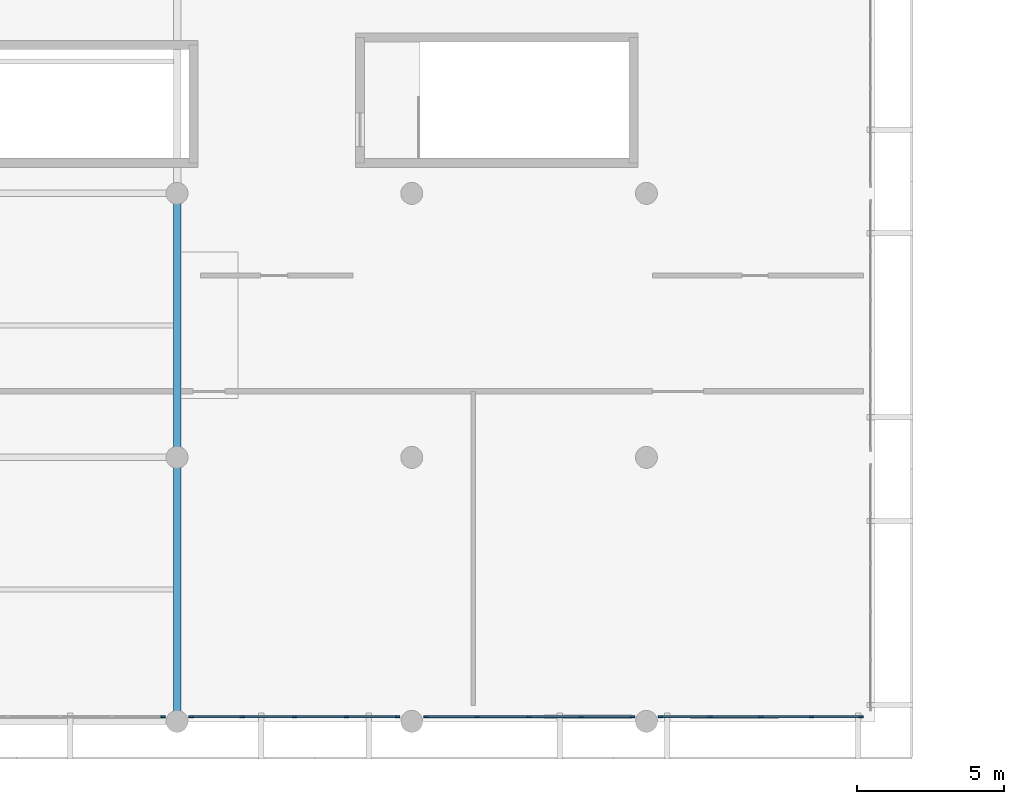
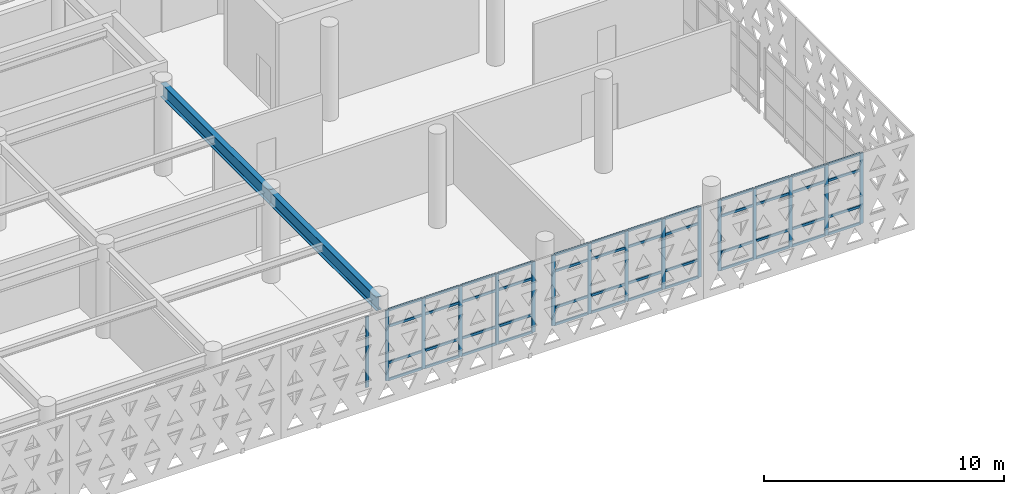
# One storey, part 13 of 33: 64 members, 2 beams, 4 elements without a shape of their own.
"""IFC4 building model written with IfcOpenShell, lengths in metres."""

from ifc_helpers import new_model, si_unit, direction, frame, origin, origin_2d, place, context, subcontext, project, spatial, rectangle, i_section, extrude, material, layer, layer_set, material_profile, profile_set, type_object, element, aggregate, save


model = new_model("IFC4")

# Units and contexts
model_context = context("Model", 3, precision=1e-05, world=origin(), true_north=direction((0.0, 1.0)))
body_context = subcontext(model_context, "Body", "Model", "MODEL_VIEW")
ifc_project = project(units=[si_unit("LENGTHUNIT", "METRE"), si_unit("AREAUNIT", "SQUARE_METRE"), si_unit("VOLUMEUNIT", "CUBIC_METRE"), si_unit("PLANEANGLEUNIT", "RADIAN"), si_unit("MASSUNIT", "GRAM", prefix="KILO")], contexts=[model_context])

# Site, building, storey
site_placement = place(None, origin())
site = spatial("IfcSite", under=ifc_project, at=site_placement, CompositionType="ELEMENT")
building_placement = place(site_placement, origin())
building = spatial("IfcBuilding", under=site, at=building_placement, Name="Tlacozan Convention Centre", CompositionType="ELEMENT")
storey_placement = place(building_placement, frame((0.0, 0.0, 16.199951171875)))
storey = spatial("IfcBuildingStorey", under=building, at=storey_placement, Name="L03", CompositionType="ELEMENT", Elevation=16.199951171875)

# Curtain wall, member
ifc_material_1 = material(Name="Dark Bronze Anodised Aluminium", Category="aluminium")
ifc_layer = layer(ifc_material_1, 0.159912109375)
ifc_layer_set = layer_set([ifc_layer], Name="Dark Bronze Anodised Aluminium")
curtain_wall_type = type_object("IfcCurtainWallType", Name="Unitised Congress L03 South CW04", PredefinedType="NOTDEFINED", material=ifc_layer_set)
curtain_wall_1_placement = place(storey_placement, origin())
curtain_wall_1 = element("IfcCurtainWall", 1, at=curtain_wall_1_placement, inside=storey, type_object=curtain_wall_type, Name="L03 CW-04 Run 111", PredefinedType="NOTDEFINED")
ifc_material_profile_1 = material_profile(ifc_material_1, rectangle(XDim=0.06494140625, YDim=0.159912109375, at=origin_2d()), Name="ALU 65x160")
ifc_profile_set_1 = profile_set([ifc_material_profile_1], Name="Dark Bronze Anodised Aluminium")
member_type_1 = type_object("IfcMemberType", Name="Curtain Wall Mullion 65x160", PredefinedType="MULLION", material=ifc_profile_set_1)
member_1_placement = place(storey_placement, frame((95.517578125, 0.159912109375, 0.0), z_axis=(0.0, 0.0, 1.0), x_axis=(0.0, 1.0, 0.0)))
member_1 = element("IfcMember", 2, at=member_1_placement, type_object=member_type_1, Name="CW-04 mullion 5", PredefinedType="MULLION", context=body_context, shape_type="SweptSolid", body=[
    extrude(rectangle(XDim=0.06494140625, YDim=0.159912109375, at=origin_2d()), origin(), (0.0, 0.0, 1.0), 3.60009765625),
])
aggregate(curtain_wall_1, [member_1])

# Curtain wall, members
curtain_wall_2_placement = place(storey_placement, origin())
curtain_wall_2 = element("IfcCurtainWall", 3, at=curtain_wall_2_placement, inside=storey, type_object=curtain_wall_type, Name="L03 CW-04 Run 112", PredefinedType="NOTDEFINED")
member_2_placement = place(storey_placement, frame((96.482421875, 0.159912109375, 0.0), z_axis=(0.0, 0.0, 1.0), x_axis=(0.0, 1.0, 0.0)))
member_2 = element("IfcMember", 4, at=member_2_placement, type_object=member_type_1, Name="CW-04 mullion 1", PredefinedType="MULLION", context=body_context, shape_type="SweptSolid", body=[
    extrude(rectangle(XDim=0.06494140625, YDim=0.159912109375, at=origin_2d()), origin(), (0.0, 0.0, 1.0), 3.60009765625),
])
member_3_placement = place(storey_placement, frame((98.22509765625, 0.159912109375, 0.0), z_axis=(0.0, 0.0, 1.0), x_axis=(0.0, 1.0, 0.0)))
member_3 = element("IfcMember", 5, at=member_3_placement, type_object=member_type_1, Name="CW-04 mullion 2", PredefinedType="MULLION", context=body_context, shape_type="SweptSolid", body=[
    extrude(rectangle(XDim=0.06494140625, YDim=0.159912109375, at=origin_2d()), origin(), (0.0, 0.0, 1.0), 3.60009765625),
])
member_4_placement = place(storey_placement, frame((100.0, 0.159912109375, 0.0), z_axis=(0.0, 0.0, 1.0), x_axis=(0.0, 1.0, 0.0)))
member_4 = element("IfcMember", 6, at=member_4_placement, type_object=member_type_1, Name="CW-04 mullion 3", PredefinedType="MULLION", context=body_context, shape_type="SweptSolid", body=[
    extrude(rectangle(XDim=0.06494140625, YDim=0.159912109375, at=origin_2d()), origin(), (0.0, 0.0, 1.0), 3.60009765625),
])
member_5_placement = place(storey_placement, frame((101.77490234375, 0.159912109375, 0.0), z_axis=(0.0, 0.0, 1.0), x_axis=(0.0, 1.0, 0.0)))
member_5 = element("IfcMember", 7, at=member_5_placement, type_object=member_type_1, Name="CW-04 mullion 4", PredefinedType="MULLION", context=body_context, shape_type="SweptSolid", body=[
    extrude(rectangle(XDim=0.06494140625, YDim=0.159912109375, at=origin_2d()), origin(), (0.0, 0.0, 1.0), 3.60009765625),
])
member_6_placement = place(storey_placement, frame((103.517578125, 0.159912109375, 0.0), z_axis=(0.0, 0.0, 1.0), x_axis=(0.0, 1.0, 0.0)))
member_6 = element("IfcMember", 8, at=member_6_placement, type_object=member_type_1, Name="CW-04 mullion 5", PredefinedType="MULLION", context=body_context, shape_type="SweptSolid", body=[
    extrude(rectangle(XDim=0.06494140625, YDim=0.159912109375, at=origin_2d()), origin(), (0.0, 0.0, 1.0), 3.60009765625),
])

curtain_wall_3_placement = place(storey_placement, origin())
curtain_wall_3 = element("IfcCurtainWall", 9, at=curtain_wall_3_placement, inside=storey, type_object=curtain_wall_type, Name="L03 CW-04 Run 113", PredefinedType="NOTDEFINED")
member_7_placement = place(storey_placement, frame((104.482421875, 0.159912109375, 0.0), z_axis=(0.0, 0.0, 1.0), x_axis=(0.0, 1.0, 0.0)))
member_7 = element("IfcMember", 10, at=member_7_placement, type_object=member_type_1, Name="CW-04 mullion 1", PredefinedType="MULLION", context=body_context, shape_type="SweptSolid", body=[
    extrude(rectangle(XDim=0.06494140625, YDim=0.159912109375, at=origin_2d()), origin(), (0.0, 0.0, 1.0), 3.60009765625),
])
member_8_placement = place(storey_placement, frame((106.22509765625, 0.159912109375, 0.0), z_axis=(0.0, 0.0, 1.0), x_axis=(0.0, 1.0, 0.0)))
member_8 = element("IfcMember", 11, at=member_8_placement, type_object=member_type_1, Name="CW-04 mullion 2", PredefinedType="MULLION", context=body_context, shape_type="SweptSolid", body=[
    extrude(rectangle(XDim=0.06494140625, YDim=0.159912109375, at=origin_2d()), origin(), (0.0, 0.0, 1.0), 3.60009765625),
])
member_9_placement = place(storey_placement, frame((108.0, 0.159912109375, 0.0), z_axis=(0.0, 0.0, 1.0), x_axis=(0.0, 1.0, 0.0)))
member_9 = element("IfcMember", 12, at=member_9_placement, type_object=member_type_1, Name="CW-04 mullion 3", PredefinedType="MULLION", context=body_context, shape_type="SweptSolid", body=[
    extrude(rectangle(XDim=0.06494140625, YDim=0.159912109375, at=origin_2d()), origin(), (0.0, 0.0, 1.0), 3.60009765625),
])
member_10_placement = place(storey_placement, frame((109.77490234375, 0.159912109375, 0.0), z_axis=(0.0, 0.0, 1.0), x_axis=(0.0, 1.0, 0.0)))
member_10 = element("IfcMember", 13, at=member_10_placement, type_object=member_type_1, Name="CW-04 mullion 4", PredefinedType="MULLION", context=body_context, shape_type="SweptSolid", body=[
    extrude(rectangle(XDim=0.06494140625, YDim=0.159912109375, at=origin_2d()), origin(), (0.0, 0.0, 1.0), 3.60009765625),
])
member_11_placement = place(storey_placement, frame((111.517578125, 0.159912109375, 0.0), z_axis=(0.0, 0.0, 1.0), x_axis=(0.0, 1.0, 0.0)))
member_11 = element("IfcMember", 14, at=member_11_placement, type_object=member_type_1, Name="CW-04 mullion 5", PredefinedType="MULLION", context=body_context, shape_type="SweptSolid", body=[
    extrude(rectangle(XDim=0.06494140625, YDim=0.159912109375, at=origin_2d()), origin(), (0.0, 0.0, 1.0), 3.60009765625),
])

curtain_wall_4_placement = place(storey_placement, origin())
curtain_wall_4 = element("IfcCurtainWall", 15, at=curtain_wall_4_placement, inside=storey, type_object=curtain_wall_type, Name="L03 CW-04 Run 114", PredefinedType="NOTDEFINED")
member_12_placement = place(storey_placement, frame((112.482421875, 0.159912109375, 0.0), z_axis=(0.0, 0.0, 1.0), x_axis=(0.0, 1.0, 0.0)))
member_12 = element("IfcMember", 16, at=member_12_placement, type_object=member_type_1, Name="CW-04 mullion 1", PredefinedType="MULLION", context=body_context, shape_type="SweptSolid", body=[
    extrude(rectangle(XDim=0.06494140625, YDim=0.159912109375, at=origin_2d()), origin(), (0.0, 0.0, 1.0), 3.60009765625),
])
member_13_placement = place(storey_placement, frame((114.175048828125, 0.159912109375, 0.0), z_axis=(0.0, 0.0, 1.0), x_axis=(0.0, 1.0, 0.0)))
member_13 = element("IfcMember", 17, at=member_13_placement, type_object=member_type_1, Name="CW-04 mullion 2", PredefinedType="MULLION", context=body_context, shape_type="SweptSolid", body=[
    extrude(rectangle(XDim=0.06494140625, YDim=0.159912109375, at=origin_2d()), origin(), (0.0, 0.0, 1.0), 3.60009765625),
])
member_14_placement = place(storey_placement, frame((115.89990234375, 0.159912109375, 0.0), z_axis=(0.0, 0.0, 1.0), x_axis=(0.0, 1.0, 0.0)))
member_14 = element("IfcMember", 18, at=member_14_placement, type_object=member_type_1, Name="CW-04 mullion 3", PredefinedType="MULLION", context=body_context, shape_type="SweptSolid", body=[
    extrude(rectangle(XDim=0.06494140625, YDim=0.159912109375, at=origin_2d()), origin(), (0.0, 0.0, 1.0), 3.60009765625),
])
member_15_placement = place(storey_placement, frame((117.625, 0.159912109375, 0.0), z_axis=(0.0, 0.0, 1.0), x_axis=(0.0, 1.0, 0.0)))
member_15 = element("IfcMember", 19, at=member_15_placement, type_object=member_type_1, Name="CW-04 mullion 4", PredefinedType="MULLION", context=body_context, shape_type="SweptSolid", body=[
    extrude(rectangle(XDim=0.06494140625, YDim=0.159912109375, at=origin_2d()), origin(), (0.0, 0.0, 1.0), 3.60009765625),
])
member_16_placement = place(storey_placement, frame((119.3173828125, 0.159912109375, 0.0), z_axis=(0.0, 0.0, 1.0), x_axis=(0.0, 1.0, 0.0)))
member_16 = element("IfcMember", 20, at=member_16_placement, type_object=member_type_1, Name="CW-04 mullion 5", PredefinedType="MULLION", context=body_context, shape_type="SweptSolid", body=[
    extrude(rectangle(XDim=0.06494140625, YDim=0.159912109375, at=origin_2d()), origin(), (0.0, 0.0, 1.0), 3.60009765625),
])

# Member
ifc_material_profile_2 = material_profile(ifc_material_1, rectangle(XDim=0.06494140625, YDim=0.125, at=origin_2d()), Name="ALU 65x125")
ifc_profile_set_2 = profile_set([ifc_material_profile_2], Name="Dark Bronze Anodised Aluminium")
member_type_2 = type_object("IfcMemberType", Name="Curtain Wall Transom 65x125", PredefinedType="USERDEFINED", material=ifc_profile_set_2)
member_17_placement = place(storey_placement, frame((96.514892578125, 0.159912109375, 0.032470703125), z_axis=(1.0, 0.0, 0.0), x_axis=(0.0, 1.0, 0.0)))
member_17 = element("IfcMember", 21, at=member_17_placement, type_object=member_type_2, Name="CW-04 transom 1.1", ObjectType="TRANSOM", PredefinedType="USERDEFINED", context=body_context, shape_type="SweptSolid", body=[
    extrude(rectangle(XDim=0.06494140625, YDim=0.125, at=origin_2d()), origin(), (0.0, 0.0, 1.0), 1.677490234375),
])

member_18_placement = place(storey_placement, frame((96.514892578125, 0.159912109375, 0.900146484375), z_axis=(1.0, 0.0, 0.0), x_axis=(0.0, 1.0, 0.0)))
member_18 = element("IfcMember", 22, at=member_18_placement, type_object=member_type_2, Name="CW-04 transom 1.2", ObjectType="TRANSOM", PredefinedType="USERDEFINED", context=body_context, shape_type="SweptSolid", body=[
    extrude(rectangle(XDim=0.06494140625, YDim=0.125, at=origin_2d()), origin(), (0.0, 0.0, 1.0), 1.677490234375),
])

member_19_placement = place(storey_placement, frame((96.514892578125, 0.159912109375, 2.75), z_axis=(1.0, 0.0, 0.0), x_axis=(0.0, 1.0, 0.0)))
member_19 = element("IfcMember", 23, at=member_19_placement, type_object=member_type_2, Name="CW-04 transom 1.3", ObjectType="TRANSOM", PredefinedType="USERDEFINED", context=body_context, shape_type="SweptSolid", body=[
    extrude(rectangle(XDim=0.06494140625, YDim=0.125, at=origin_2d()), origin(), (0.0, 0.0, 1.0), 1.677490234375),
])

member_20_placement = place(storey_placement, frame((96.514892578125, 0.159912109375, 3.567626953125), z_axis=(1.0, 0.0, 0.0), x_axis=(0.0, 1.0, 0.0)))
member_20 = element("IfcMember", 24, at=member_20_placement, type_object=member_type_2, Name="CW-04 transom 1.4", ObjectType="TRANSOM", PredefinedType="USERDEFINED", context=body_context, shape_type="SweptSolid", body=[
    extrude(rectangle(XDim=0.06494140625, YDim=0.125, at=origin_2d()), origin(), (0.0, 0.0, 1.0), 1.677490234375),
])

member_21_placement = place(storey_placement, frame((98.257568359375, 0.159912109375, 0.032470703125), z_axis=(1.0, 0.0, 0.0), x_axis=(0.0, 1.0, 0.0)))
member_21 = element("IfcMember", 25, at=member_21_placement, type_object=member_type_2, Name="CW-04 transom 2.1", ObjectType="TRANSOM", PredefinedType="USERDEFINED", context=body_context, shape_type="SweptSolid", body=[
    extrude(rectangle(XDim=0.06494140625, YDim=0.125, at=origin_2d()), origin(), (0.0, 0.0, 1.0), 1.7099609375),
])

member_22_placement = place(storey_placement, frame((98.257568359375, 0.159912109375, 0.900146484375), z_axis=(1.0, 0.0, 0.0), x_axis=(0.0, 1.0, 0.0)))
member_22 = element("IfcMember", 26, at=member_22_placement, type_object=member_type_2, Name="CW-04 transom 2.2", ObjectType="TRANSOM", PredefinedType="USERDEFINED", context=body_context, shape_type="SweptSolid", body=[
    extrude(rectangle(XDim=0.06494140625, YDim=0.125, at=origin_2d()), origin(), (0.0, 0.0, 1.0), 1.7099609375),
])

member_23_placement = place(storey_placement, frame((98.257568359375, 0.159912109375, 2.75), z_axis=(1.0, 0.0, 0.0), x_axis=(0.0, 1.0, 0.0)))
member_23 = element("IfcMember", 27, at=member_23_placement, type_object=member_type_2, Name="CW-04 transom 2.3", ObjectType="TRANSOM", PredefinedType="USERDEFINED", context=body_context, shape_type="SweptSolid", body=[
    extrude(rectangle(XDim=0.06494140625, YDim=0.125, at=origin_2d()), origin(), (0.0, 0.0, 1.0), 1.7099609375),
])

member_24_placement = place(storey_placement, frame((98.257568359375, 0.159912109375, 3.567626953125), z_axis=(1.0, 0.0, 0.0), x_axis=(0.0, 1.0, 0.0)))
member_24 = element("IfcMember", 28, at=member_24_placement, type_object=member_type_2, Name="CW-04 transom 2.4", ObjectType="TRANSOM", PredefinedType="USERDEFINED", context=body_context, shape_type="SweptSolid", body=[
    extrude(rectangle(XDim=0.06494140625, YDim=0.125, at=origin_2d()), origin(), (0.0, 0.0, 1.0), 1.7099609375),
])

member_25_placement = place(storey_placement, frame((100.032470703125, 0.159912109375, 0.032470703125), z_axis=(1.0, 0.0, 0.0), x_axis=(0.0, 1.0, 0.0)))
member_25 = element("IfcMember", 29, at=member_25_placement, type_object=member_type_2, Name="CW-04 transom 3.1", ObjectType="TRANSOM", PredefinedType="USERDEFINED", context=body_context, shape_type="SweptSolid", body=[
    extrude(rectangle(XDim=0.06494140625, YDim=0.125, at=origin_2d()), origin(), (0.0, 0.0, 1.0), 1.7099609375),
])

member_26_placement = place(storey_placement, frame((100.032470703125, 0.159912109375, 0.900146484375), z_axis=(1.0, 0.0, 0.0), x_axis=(0.0, 1.0, 0.0)))
member_26 = element("IfcMember", 30, at=member_26_placement, type_object=member_type_2, Name="CW-04 transom 3.2", ObjectType="TRANSOM", PredefinedType="USERDEFINED", context=body_context, shape_type="SweptSolid", body=[
    extrude(rectangle(XDim=0.06494140625, YDim=0.125, at=origin_2d()), origin(), (0.0, 0.0, 1.0), 1.7099609375),
])

member_27_placement = place(storey_placement, frame((100.032470703125, 0.159912109375, 2.75), z_axis=(1.0, 0.0, 0.0), x_axis=(0.0, 1.0, 0.0)))
member_27 = element("IfcMember", 31, at=member_27_placement, type_object=member_type_2, Name="CW-04 transom 3.3", ObjectType="TRANSOM", PredefinedType="USERDEFINED", context=body_context, shape_type="SweptSolid", body=[
    extrude(rectangle(XDim=0.06494140625, YDim=0.125, at=origin_2d()), origin(), (0.0, 0.0, 1.0), 1.7099609375),
])

member_28_placement = place(storey_placement, frame((100.032470703125, 0.159912109375, 3.567626953125), z_axis=(1.0, 0.0, 0.0), x_axis=(0.0, 1.0, 0.0)))
member_28 = element("IfcMember", 32, at=member_28_placement, type_object=member_type_2, Name="CW-04 transom 3.4", ObjectType="TRANSOM", PredefinedType="USERDEFINED", context=body_context, shape_type="SweptSolid", body=[
    extrude(rectangle(XDim=0.06494140625, YDim=0.125, at=origin_2d()), origin(), (0.0, 0.0, 1.0), 1.7099609375),
])

member_29_placement = place(storey_placement, frame((101.8076171875, 0.159912109375, 0.032470703125), z_axis=(1.0, 0.0, 0.0), x_axis=(0.0, 1.0, 0.0)))
member_29 = element("IfcMember", 33, at=member_29_placement, type_object=member_type_2, Name="CW-04 transom 4.1", ObjectType="TRANSOM", PredefinedType="USERDEFINED", context=body_context, shape_type="SweptSolid", body=[
    extrude(rectangle(XDim=0.06494140625, YDim=0.125, at=origin_2d()), origin(), (0.0, 0.0, 1.0), 1.677490234375),
])

member_30_placement = place(storey_placement, frame((101.8076171875, 0.159912109375, 0.900146484375), z_axis=(1.0, 0.0, 0.0), x_axis=(0.0, 1.0, 0.0)))
member_30 = element("IfcMember", 34, at=member_30_placement, type_object=member_type_2, Name="CW-04 transom 4.2", ObjectType="TRANSOM", PredefinedType="USERDEFINED", context=body_context, shape_type="SweptSolid", body=[
    extrude(rectangle(XDim=0.06494140625, YDim=0.125, at=origin_2d()), origin(), (0.0, 0.0, 1.0), 1.677490234375),
])

member_31_placement = place(storey_placement, frame((101.8076171875, 0.159912109375, 2.75), z_axis=(1.0, 0.0, 0.0), x_axis=(0.0, 1.0, 0.0)))
member_31 = element("IfcMember", 35, at=member_31_placement, type_object=member_type_2, Name="CW-04 transom 4.3", ObjectType="TRANSOM", PredefinedType="USERDEFINED", context=body_context, shape_type="SweptSolid", body=[
    extrude(rectangle(XDim=0.06494140625, YDim=0.125, at=origin_2d()), origin(), (0.0, 0.0, 1.0), 1.677490234375),
])

member_32_placement = place(storey_placement, frame((101.8076171875, 0.159912109375, 3.567626953125), z_axis=(1.0, 0.0, 0.0), x_axis=(0.0, 1.0, 0.0)))
member_32 = element("IfcMember", 36, at=member_32_placement, type_object=member_type_2, Name="CW-04 transom 4.4", ObjectType="TRANSOM", PredefinedType="USERDEFINED", context=body_context, shape_type="SweptSolid", body=[
    extrude(rectangle(XDim=0.06494140625, YDim=0.125, at=origin_2d()), origin(), (0.0, 0.0, 1.0), 1.677490234375),
])

aggregate(curtain_wall_2, [member_2, member_3, member_4, member_5, member_6, member_17, member_18, member_19, member_20, member_21, member_22, member_23, member_24, member_25, member_26, member_27, member_28, member_29, member_30, member_31, member_32])

member_33_placement = place(storey_placement, frame((104.514892578125, 0.159912109375, 0.032470703125), z_axis=(1.0, 0.0, 0.0), x_axis=(0.0, 1.0, 0.0)))
member_33 = element("IfcMember", 37, at=member_33_placement, type_object=member_type_2, Name="CW-04 transom 1.1", ObjectType="TRANSOM", PredefinedType="USERDEFINED", context=body_context, shape_type="SweptSolid", body=[
    extrude(rectangle(XDim=0.06494140625, YDim=0.125, at=origin_2d()), origin(), (0.0, 0.0, 1.0), 1.677490234375),
])

member_34_placement = place(storey_placement, frame((104.514892578125, 0.159912109375, 0.900146484375), z_axis=(1.0, 0.0, 0.0), x_axis=(0.0, 1.0, 0.0)))
member_34 = element("IfcMember", 38, at=member_34_placement, type_object=member_type_2, Name="CW-04 transom 1.2", ObjectType="TRANSOM", PredefinedType="USERDEFINED", context=body_context, shape_type="SweptSolid", body=[
    extrude(rectangle(XDim=0.06494140625, YDim=0.125, at=origin_2d()), origin(), (0.0, 0.0, 1.0), 1.677490234375),
])

member_35_placement = place(storey_placement, frame((104.514892578125, 0.159912109375, 2.75), z_axis=(1.0, 0.0, 0.0), x_axis=(0.0, 1.0, 0.0)))
member_35 = element("IfcMember", 39, at=member_35_placement, type_object=member_type_2, Name="CW-04 transom 1.3", ObjectType="TRANSOM", PredefinedType="USERDEFINED", context=body_context, shape_type="SweptSolid", body=[
    extrude(rectangle(XDim=0.06494140625, YDim=0.125, at=origin_2d()), origin(), (0.0, 0.0, 1.0), 1.677490234375),
])

member_36_placement = place(storey_placement, frame((104.514892578125, 0.159912109375, 3.567626953125), z_axis=(1.0, 0.0, 0.0), x_axis=(0.0, 1.0, 0.0)))
member_36 = element("IfcMember", 40, at=member_36_placement, type_object=member_type_2, Name="CW-04 transom 1.4", ObjectType="TRANSOM", PredefinedType="USERDEFINED", context=body_context, shape_type="SweptSolid", body=[
    extrude(rectangle(XDim=0.06494140625, YDim=0.125, at=origin_2d()), origin(), (0.0, 0.0, 1.0), 1.677490234375),
])

member_37_placement = place(storey_placement, frame((106.257568359375, 0.159912109375, 0.032470703125), z_axis=(1.0, 0.0, 0.0), x_axis=(0.0, 1.0, 0.0)))
member_37 = element("IfcMember", 41, at=member_37_placement, type_object=member_type_2, Name="CW-04 transom 2.1", ObjectType="TRANSOM", PredefinedType="USERDEFINED", context=body_context, shape_type="SweptSolid", body=[
    extrude(rectangle(XDim=0.06494140625, YDim=0.125, at=origin_2d()), origin(), (0.0, 0.0, 1.0), 1.7099609375),
])

member_38_placement = place(storey_placement, frame((106.257568359375, 0.159912109375, 0.900146484375), z_axis=(1.0, 0.0, 0.0), x_axis=(0.0, 1.0, 0.0)))
member_38 = element("IfcMember", 42, at=member_38_placement, type_object=member_type_2, Name="CW-04 transom 2.2", ObjectType="TRANSOM", PredefinedType="USERDEFINED", context=body_context, shape_type="SweptSolid", body=[
    extrude(rectangle(XDim=0.06494140625, YDim=0.125, at=origin_2d()), origin(), (0.0, 0.0, 1.0), 1.7099609375),
])

member_39_placement = place(storey_placement, frame((106.257568359375, 0.159912109375, 2.75), z_axis=(1.0, 0.0, 0.0), x_axis=(0.0, 1.0, 0.0)))
member_39 = element("IfcMember", 43, at=member_39_placement, type_object=member_type_2, Name="CW-04 transom 2.3", ObjectType="TRANSOM", PredefinedType="USERDEFINED", context=body_context, shape_type="SweptSolid", body=[
    extrude(rectangle(XDim=0.06494140625, YDim=0.125, at=origin_2d()), origin(), (0.0, 0.0, 1.0), 1.7099609375),
])

member_40_placement = place(storey_placement, frame((106.257568359375, 0.159912109375, 3.567626953125), z_axis=(1.0, 0.0, 0.0), x_axis=(0.0, 1.0, 0.0)))
member_40 = element("IfcMember", 44, at=member_40_placement, type_object=member_type_2, Name="CW-04 transom 2.4", ObjectType="TRANSOM", PredefinedType="USERDEFINED", context=body_context, shape_type="SweptSolid", body=[
    extrude(rectangle(XDim=0.06494140625, YDim=0.125, at=origin_2d()), origin(), (0.0, 0.0, 1.0), 1.7099609375),
])

member_41_placement = place(storey_placement, frame((108.032470703125, 0.159912109375, 0.032470703125), z_axis=(1.0, 0.0, 0.0), x_axis=(0.0, 1.0, 0.0)))
member_41 = element("IfcMember", 45, at=member_41_placement, type_object=member_type_2, Name="CW-04 transom 3.1", ObjectType="TRANSOM", PredefinedType="USERDEFINED", context=body_context, shape_type="SweptSolid", body=[
    extrude(rectangle(XDim=0.06494140625, YDim=0.125, at=origin_2d()), origin(), (0.0, 0.0, 1.0), 1.7099609375),
])

member_42_placement = place(storey_placement, frame((108.032470703125, 0.159912109375, 0.900146484375), z_axis=(1.0, 0.0, 0.0), x_axis=(0.0, 1.0, 0.0)))
member_42 = element("IfcMember", 46, at=member_42_placement, type_object=member_type_2, Name="CW-04 transom 3.2", ObjectType="TRANSOM", PredefinedType="USERDEFINED", context=body_context, shape_type="SweptSolid", body=[
    extrude(rectangle(XDim=0.06494140625, YDim=0.125, at=origin_2d()), origin(), (0.0, 0.0, 1.0), 1.7099609375),
])

member_43_placement = place(storey_placement, frame((108.032470703125, 0.159912109375, 2.75), z_axis=(1.0, 0.0, 0.0), x_axis=(0.0, 1.0, 0.0)))
member_43 = element("IfcMember", 47, at=member_43_placement, type_object=member_type_2, Name="CW-04 transom 3.3", ObjectType="TRANSOM", PredefinedType="USERDEFINED", context=body_context, shape_type="SweptSolid", body=[
    extrude(rectangle(XDim=0.06494140625, YDim=0.125, at=origin_2d()), origin(), (0.0, 0.0, 1.0), 1.7099609375),
])

member_44_placement = place(storey_placement, frame((108.032470703125, 0.159912109375, 3.567626953125), z_axis=(1.0, 0.0, 0.0), x_axis=(0.0, 1.0, 0.0)))
member_44 = element("IfcMember", 48, at=member_44_placement, type_object=member_type_2, Name="CW-04 transom 3.4", ObjectType="TRANSOM", PredefinedType="USERDEFINED", context=body_context, shape_type="SweptSolid", body=[
    extrude(rectangle(XDim=0.06494140625, YDim=0.125, at=origin_2d()), origin(), (0.0, 0.0, 1.0), 1.7099609375),
])

member_45_placement = place(storey_placement, frame((109.8076171875, 0.159912109375, 0.032470703125), z_axis=(1.0, 0.0, 0.0), x_axis=(0.0, 1.0, 0.0)))
member_45 = element("IfcMember", 49, at=member_45_placement, type_object=member_type_2, Name="CW-04 transom 4.1", ObjectType="TRANSOM", PredefinedType="USERDEFINED", context=body_context, shape_type="SweptSolid", body=[
    extrude(rectangle(XDim=0.06494140625, YDim=0.125, at=origin_2d()), origin(), (0.0, 0.0, 1.0), 1.677490234375),
])

member_46_placement = place(storey_placement, frame((109.8076171875, 0.159912109375, 0.900146484375), z_axis=(1.0, 0.0, 0.0), x_axis=(0.0, 1.0, 0.0)))
member_46 = element("IfcMember", 50, at=member_46_placement, type_object=member_type_2, Name="CW-04 transom 4.2", ObjectType="TRANSOM", PredefinedType="USERDEFINED", context=body_context, shape_type="SweptSolid", body=[
    extrude(rectangle(XDim=0.06494140625, YDim=0.125, at=origin_2d()), origin(), (0.0, 0.0, 1.0), 1.677490234375),
])

member_47_placement = place(storey_placement, frame((109.8076171875, 0.159912109375, 2.75), z_axis=(1.0, 0.0, 0.0), x_axis=(0.0, 1.0, 0.0)))
member_47 = element("IfcMember", 51, at=member_47_placement, type_object=member_type_2, Name="CW-04 transom 4.3", ObjectType="TRANSOM", PredefinedType="USERDEFINED", context=body_context, shape_type="SweptSolid", body=[
    extrude(rectangle(XDim=0.06494140625, YDim=0.125, at=origin_2d()), origin(), (0.0, 0.0, 1.0), 1.677490234375),
])

member_48_placement = place(storey_placement, frame((109.8076171875, 0.159912109375, 3.567626953125), z_axis=(1.0, 0.0, 0.0), x_axis=(0.0, 1.0, 0.0)))
member_48 = element("IfcMember", 52, at=member_48_placement, type_object=member_type_2, Name="CW-04 transom 4.4", ObjectType="TRANSOM", PredefinedType="USERDEFINED", context=body_context, shape_type="SweptSolid", body=[
    extrude(rectangle(XDim=0.06494140625, YDim=0.125, at=origin_2d()), origin(), (0.0, 0.0, 1.0), 1.677490234375),
])

aggregate(curtain_wall_3, [member_7, member_8, member_9, member_10, member_11, member_33, member_34, member_35, member_36, member_37, member_38, member_39, member_40, member_41, member_42, member_43, member_44, member_45, member_46, member_47, member_48])

member_49_placement = place(storey_placement, frame((112.514892578125, 0.159912109375, 0.032470703125), z_axis=(1.0, 0.0, 0.0), x_axis=(0.0, 1.0, 0.0)))
member_49 = element("IfcMember", 53, at=member_49_placement, type_object=member_type_2, Name="CW-04 transom 1.1", ObjectType="TRANSOM", PredefinedType="USERDEFINED", context=body_context, shape_type="SweptSolid", body=[
    extrude(rectangle(XDim=0.06494140625, YDim=0.125, at=origin_2d()), origin(), (0.0, 0.0, 1.0), 1.627685546875),
])

member_50_placement = place(storey_placement, frame((112.514892578125, 0.159912109375, 0.900146484375), z_axis=(1.0, 0.0, 0.0), x_axis=(0.0, 1.0, 0.0)))
member_50 = element("IfcMember", 54, at=member_50_placement, type_object=member_type_2, Name="CW-04 transom 1.2", ObjectType="TRANSOM", PredefinedType="USERDEFINED", context=body_context, shape_type="SweptSolid", body=[
    extrude(rectangle(XDim=0.06494140625, YDim=0.125, at=origin_2d()), origin(), (0.0, 0.0, 1.0), 1.627685546875),
])

member_51_placement = place(storey_placement, frame((112.514892578125, 0.159912109375, 2.75), z_axis=(1.0, 0.0, 0.0), x_axis=(0.0, 1.0, 0.0)))
member_51 = element("IfcMember", 55, at=member_51_placement, type_object=member_type_2, Name="CW-04 transom 1.3", ObjectType="TRANSOM", PredefinedType="USERDEFINED", context=body_context, shape_type="SweptSolid", body=[
    extrude(rectangle(XDim=0.06494140625, YDim=0.125, at=origin_2d()), origin(), (0.0, 0.0, 1.0), 1.627685546875),
])

member_52_placement = place(storey_placement, frame((112.514892578125, 0.159912109375, 3.567626953125), z_axis=(1.0, 0.0, 0.0), x_axis=(0.0, 1.0, 0.0)))
member_52 = element("IfcMember", 56, at=member_52_placement, type_object=member_type_2, Name="CW-04 transom 1.4", ObjectType="TRANSOM", PredefinedType="USERDEFINED", context=body_context, shape_type="SweptSolid", body=[
    extrude(rectangle(XDim=0.06494140625, YDim=0.125, at=origin_2d()), origin(), (0.0, 0.0, 1.0), 1.627685546875),
])

member_53_placement = place(storey_placement, frame((114.20751953125, 0.159912109375, 0.032470703125), z_axis=(1.0, 0.0, 0.0), x_axis=(0.0, 1.0, 0.0)))
member_53 = element("IfcMember", 57, at=member_53_placement, type_object=member_type_2, Name="CW-04 transom 2.1", ObjectType="TRANSOM", PredefinedType="USERDEFINED", context=body_context, shape_type="SweptSolid", body=[
    extrude(rectangle(XDim=0.06494140625, YDim=0.125, at=origin_2d()), origin(), (0.0, 0.0, 1.0), 1.659912109375),
])

member_54_placement = place(storey_placement, frame((114.20751953125, 0.159912109375, 0.900146484375), z_axis=(1.0, 0.0, 0.0), x_axis=(0.0, 1.0, 0.0)))
member_54 = element("IfcMember", 58, at=member_54_placement, type_object=member_type_2, Name="CW-04 transom 2.2", ObjectType="TRANSOM", PredefinedType="USERDEFINED", context=body_context, shape_type="SweptSolid", body=[
    extrude(rectangle(XDim=0.06494140625, YDim=0.125, at=origin_2d()), origin(), (0.0, 0.0, 1.0), 1.659912109375),
])

member_55_placement = place(storey_placement, frame((114.20751953125, 0.159912109375, 2.75), z_axis=(1.0, 0.0, 0.0), x_axis=(0.0, 1.0, 0.0)))
member_55 = element("IfcMember", 59, at=member_55_placement, type_object=member_type_2, Name="CW-04 transom 2.3", ObjectType="TRANSOM", PredefinedType="USERDEFINED", context=body_context, shape_type="SweptSolid", body=[
    extrude(rectangle(XDim=0.06494140625, YDim=0.125, at=origin_2d()), origin(), (0.0, 0.0, 1.0), 1.659912109375),
])

member_56_placement = place(storey_placement, frame((114.20751953125, 0.159912109375, 3.567626953125), z_axis=(1.0, 0.0, 0.0), x_axis=(0.0, 1.0, 0.0)))
member_56 = element("IfcMember", 60, at=member_56_placement, type_object=member_type_2, Name="CW-04 transom 2.4", ObjectType="TRANSOM", PredefinedType="USERDEFINED", context=body_context, shape_type="SweptSolid", body=[
    extrude(rectangle(XDim=0.06494140625, YDim=0.125, at=origin_2d()), origin(), (0.0, 0.0, 1.0), 1.659912109375),
])

member_57_placement = place(storey_placement, frame((115.9326171875, 0.159912109375, 0.032470703125), z_axis=(1.0, 0.0, 0.0), x_axis=(0.0, 1.0, 0.0)))
member_57 = element("IfcMember", 61, at=member_57_placement, type_object=member_type_2, Name="CW-04 transom 3.1", ObjectType="TRANSOM", PredefinedType="USERDEFINED", context=body_context, shape_type="SweptSolid", body=[
    extrude(rectangle(XDim=0.06494140625, YDim=0.125, at=origin_2d()), origin(), (0.0, 0.0, 1.0), 1.659912109375),
])

member_58_placement = place(storey_placement, frame((115.9326171875, 0.159912109375, 0.900146484375), z_axis=(1.0, 0.0, 0.0), x_axis=(0.0, 1.0, 0.0)))
member_58 = element("IfcMember", 62, at=member_58_placement, type_object=member_type_2, Name="CW-04 transom 3.2", ObjectType="TRANSOM", PredefinedType="USERDEFINED", context=body_context, shape_type="SweptSolid", body=[
    extrude(rectangle(XDim=0.06494140625, YDim=0.125, at=origin_2d()), origin(), (0.0, 0.0, 1.0), 1.659912109375),
])

member_59_placement = place(storey_placement, frame((115.9326171875, 0.159912109375, 2.75), z_axis=(1.0, 0.0, 0.0), x_axis=(0.0, 1.0, 0.0)))
member_59 = element("IfcMember", 63, at=member_59_placement, type_object=member_type_2, Name="CW-04 transom 3.3", ObjectType="TRANSOM", PredefinedType="USERDEFINED", context=body_context, shape_type="SweptSolid", body=[
    extrude(rectangle(XDim=0.06494140625, YDim=0.125, at=origin_2d()), origin(), (0.0, 0.0, 1.0), 1.659912109375),
])

member_60_placement = place(storey_placement, frame((115.9326171875, 0.159912109375, 3.567626953125), z_axis=(1.0, 0.0, 0.0), x_axis=(0.0, 1.0, 0.0)))
member_60 = element("IfcMember", 64, at=member_60_placement, type_object=member_type_2, Name="CW-04 transom 3.4", ObjectType="TRANSOM", PredefinedType="USERDEFINED", context=body_context, shape_type="SweptSolid", body=[
    extrude(rectangle(XDim=0.06494140625, YDim=0.125, at=origin_2d()), origin(), (0.0, 0.0, 1.0), 1.659912109375),
])

member_61_placement = place(storey_placement, frame((117.657470703125, 0.159912109375, 0.032470703125), z_axis=(1.0, 0.0, 0.0), x_axis=(0.0, 1.0, 0.0)))
member_61 = element("IfcMember", 65, at=member_61_placement, type_object=member_type_2, Name="CW-04 transom 4.1", ObjectType="TRANSOM", PredefinedType="USERDEFINED", context=body_context, shape_type="SweptSolid", body=[
    extrude(rectangle(XDim=0.06494140625, YDim=0.125, at=origin_2d()), origin(), (0.0, 0.0, 1.0), 1.62744140625),
])

member_62_placement = place(storey_placement, frame((117.657470703125, 0.159912109375, 0.900146484375), z_axis=(1.0, 0.0, 0.0), x_axis=(0.0, 1.0, 0.0)))
member_62 = element("IfcMember", 66, at=member_62_placement, type_object=member_type_2, Name="CW-04 transom 4.2", ObjectType="TRANSOM", PredefinedType="USERDEFINED", context=body_context, shape_type="SweptSolid", body=[
    extrude(rectangle(XDim=0.06494140625, YDim=0.125, at=origin_2d()), origin(), (0.0, 0.0, 1.0), 1.62744140625),
])

member_63_placement = place(storey_placement, frame((117.657470703125, 0.159912109375, 2.75), z_axis=(1.0, 0.0, 0.0), x_axis=(0.0, 1.0, 0.0)))
member_63 = element("IfcMember", 67, at=member_63_placement, type_object=member_type_2, Name="CW-04 transom 4.3", ObjectType="TRANSOM", PredefinedType="USERDEFINED", context=body_context, shape_type="SweptSolid", body=[
    extrude(rectangle(XDim=0.06494140625, YDim=0.125, at=origin_2d()), origin(), (0.0, 0.0, 1.0), 1.62744140625),
])

member_64_placement = place(storey_placement, frame((117.657470703125, 0.159912109375, 3.567626953125), z_axis=(1.0, 0.0, 0.0), x_axis=(0.0, 1.0, 0.0)))
member_64 = element("IfcMember", 68, at=member_64_placement, type_object=member_type_2, Name="CW-04 transom 4.4", ObjectType="TRANSOM", PredefinedType="USERDEFINED", context=body_context, shape_type="SweptSolid", body=[
    extrude(rectangle(XDim=0.06494140625, YDim=0.125, at=origin_2d()), origin(), (0.0, 0.0, 1.0), 1.62744140625),
])

aggregate(curtain_wall_4, [member_12, member_13, member_14, member_15, member_16, member_49, member_50, member_51, member_52, member_53, member_54, member_55, member_56, member_57, member_58, member_59, member_60, member_61, member_62, member_63, member_64])

# Beams
ifc_material_2 = material(Name="Steel ASTM A992 Grade 50", Category="steel")
ifc_material_profile_3 = material_profile(ifc_material_2, i_section(OverallWidth=0.256103515625, OverallDepth=0.693115234375, WebThickness=0.014404296875, FlangeThickness=0.023681640625, FilletRadius=0.014892578125, at=origin_2d()), Name="IR 686x170.0")
ifc_profile_set_3 = profile_set([ifc_material_profile_3], Name="Steel ASTM A992 Grade 50")
beam_type = type_object("IfcBeamType", Name="Girder Steel IR 686x170", PredefinedType="BEAM", material=ifc_profile_set_3)
for number, where, z_axis, x_axis, name in (
    (69, (96.0, 0.0, 4.18359375), (0.0, 1.0, 0.0), (-1.0, 0.0, 0.0), "L03 Girder Steel IR 686x170 570"),
    (70, (96.0, 9.0, 4.18359375), (0.0, 1.0, 0.0), (-1.0, 0.0, 0.0), "L03 Girder Steel IR 686x170 571"),
):
    element("IfcBeam", number, at=place(storey_placement, frame(where, z_axis=z_axis, x_axis=x_axis)), inside=storey, type_object=beam_type, Name=name, PredefinedType="BEAM", context=body_context, shape_type="SweptSolid", body=[
        extrude(i_section(OverallWidth=0.256103515625, OverallDepth=0.693115234375, WebThickness=0.014404296875, FlangeThickness=0.023681640625, FilletRadius=0.014892578125, at=origin_2d()), origin(), (0.0, 0.0, 1.0), 9.0),
    ])

save(model, "model.ifc")
